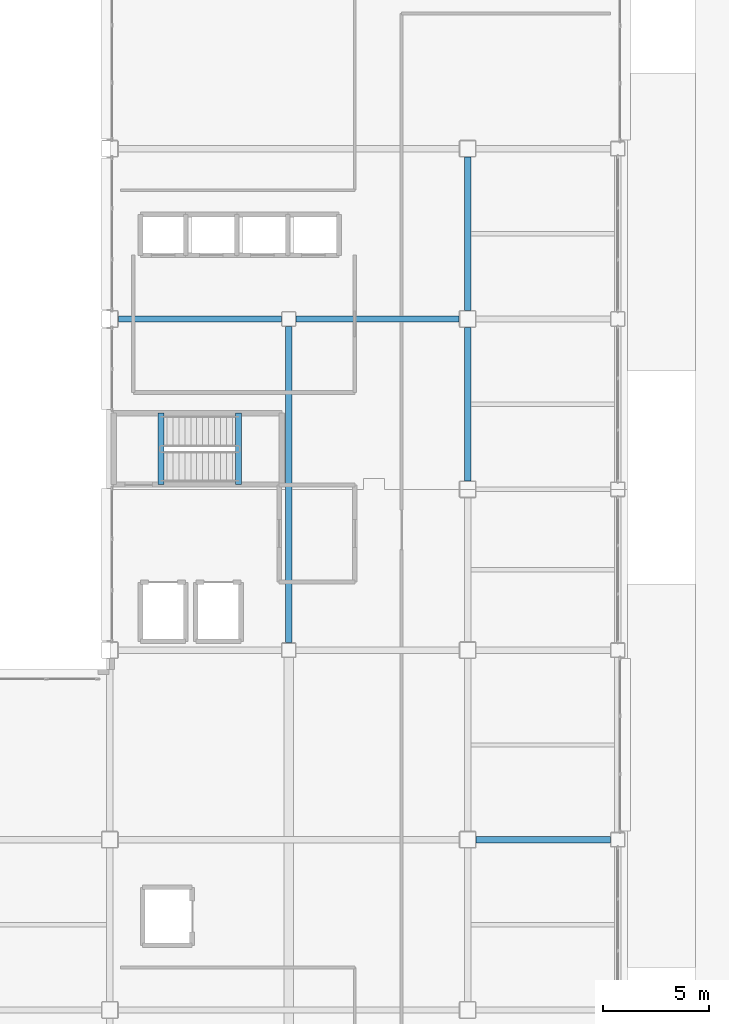
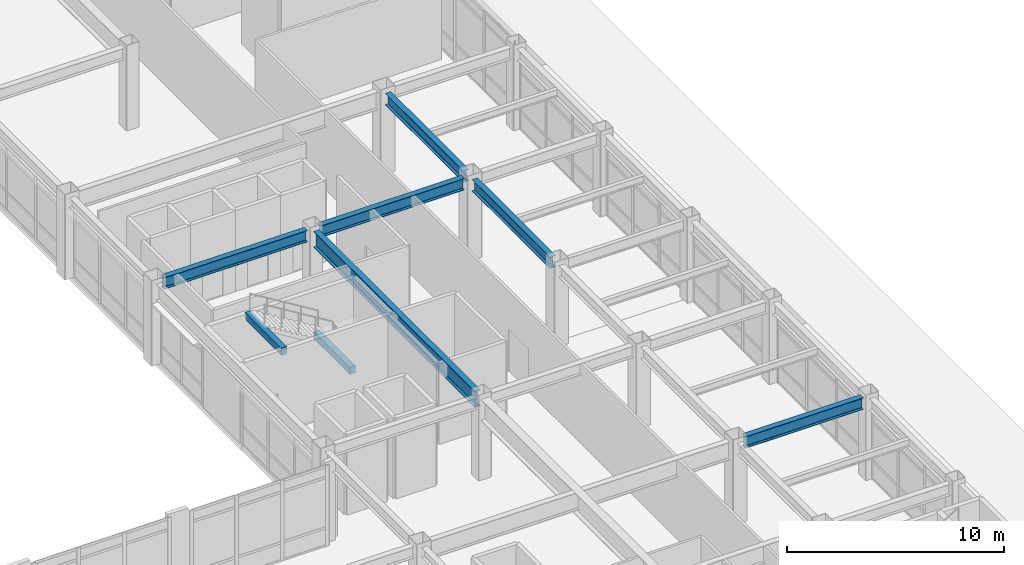
# One storey, part 106 of 172: 8 beams.
"""IFC4 building model written with IfcOpenShell, lengths in metres."""

from ifc_helpers import new_model, si_unit, direction, frame, origin, origin_2d, place, context, subcontext, project, spatial, rectangle, i_section, extrude, material, material_profile, profile_set, type_object, element, save


model = new_model("IFC4")

# Units and contexts
model_context = context("Model", 3, precision=1e-05, world=origin(), true_north=direction((0.0, 1.0)))
body_context = subcontext(model_context, "Body", "Model", "MODEL_VIEW")
ifc_project = project(units=[si_unit("LENGTHUNIT", "METRE"), si_unit("AREAUNIT", "SQUARE_METRE"), si_unit("VOLUMEUNIT", "CUBIC_METRE"), si_unit("PLANEANGLEUNIT", "RADIAN"), si_unit("MASSUNIT", "GRAM", prefix="KILO")], contexts=[model_context])

# Site, building, storey
site_placement = place(None, origin())
site = spatial("IfcSite", under=ifc_project, at=site_placement, CompositionType="ELEMENT")
building_placement = place(site_placement, origin())
building = spatial("IfcBuilding", under=site, at=building_placement, Name="Kazehara Bluff Congress Hotel", CompositionType="ELEMENT")
storey_placement = place(building_placement, frame((0.0, 0.0, 5.39990234375)))
storey = spatial("IfcBuildingStorey", under=building, at=storey_placement, Name="L01", CompositionType="ELEMENT", Elevation=5.39990234375)

# Beams
ifc_material_1 = material(Name="Steel SN490B", Category="steel")
ifc_material_profile_1 = material_profile(ifc_material_1, i_section(OverallWidth=0.300048828125, OverallDepth=0.64990234375, WebThickness=0.011962890625, FlangeThickness=0.02001953125, FilletRadius=0.012939453125, at=origin_2d()))
ifc_profile_set_1 = profile_set([ifc_material_profile_1], Name="Steel SN490B")
beam_type_1 = type_object("IfcBeamType", Name="TP-G-03", PredefinedType="BEAM", material=ifc_profile_set_1)
for number, where, z_axis, x_axis, name in (
    (1, (160.5, 48.85009765625, 4.22509765625), (0.0, 1.0, 0.0), (-1.0, 0.0, 0.0), "L01 girder G-03 254"),
    (2, (160.5, 56.85009765625, 4.22509765625), (0.0, 1.0, 0.0), (-1.0, 0.0, 0.0), "L01 girder G-03 255"),
):
    element("IfcBeam", number, at=place(storey_placement, frame(where, z_axis=z_axis, x_axis=x_axis)), inside=storey, type_object=beam_type_1, Name=name, PredefinedType="BEAM", context=body_context, shape_type="SweptSolid", body=[
        extrude(i_section(OverallWidth=0.300048828125, OverallDepth=0.64990234375, WebThickness=0.011962890625, FlangeThickness=0.02001953125, FilletRadius=0.012939453125, at=origin_2d()), origin(), (0.0, 0.0, 1.0), 7.199951171875),
    ])
beam_1_placement = place(storey_placement, frame((160.89990234375, 32.0, 4.22509765625), z_axis=(1.0, 0.0, 0.0), x_axis=(0.0, 1.0, 0.0)))
element("IfcBeam", 3, at=beam_1_placement, inside=storey, type_object=beam_type_1, Name="L01 girder G-03 295", PredefinedType="BEAM", context=body_context, shape_type="SweptSolid", body=[
    extrude(i_section(OverallWidth=0.300048828125, OverallDepth=0.64990234375, WebThickness=0.011962890625, FlangeThickness=0.02001953125, FilletRadius=0.012939453125, at=origin_2d()), origin(), (0.0, 0.0, 1.0), 6.300048828125),
])
beam_2_placement = place(storey_placement, frame((144.10009765625, 56.449951171875, 4.22509765625), z_axis=(1.0, 0.0, 0.0), x_axis=(0.0, 1.0, 0.0)))
element("IfcBeam", 4, at=beam_2_placement, inside=storey, type_object=beam_type_1, Name="L01 girder G-03 300", PredefinedType="BEAM", context=body_context, shape_type="SweptSolid", body=[
    extrude(i_section(OverallWidth=0.300048828125, OverallDepth=0.64990234375, WebThickness=0.011962890625, FlangeThickness=0.02001953125, FilletRadius=0.012939453125, at=origin_2d()), origin(), (0.0, 0.0, 1.0), 7.64990234375),
])
beam_3_placement = place(storey_placement, frame((152.449951171875, 56.449951171875, 4.22509765625), z_axis=(1.0, 0.0, 0.0), x_axis=(0.0, 1.0, 0.0)))
element("IfcBeam", 5, at=beam_3_placement, inside=storey, type_object=beam_type_1, Name="L01 girder G-03 301", PredefinedType="BEAM", context=body_context, shape_type="SweptSolid", body=[
    extrude(i_section(OverallWidth=0.300048828125, OverallDepth=0.64990234375, WebThickness=0.011962890625, FlangeThickness=0.02001953125, FilletRadius=0.012939453125, at=origin_2d()), origin(), (0.0, 0.0, 1.0), 7.650146484375),
])
ifc_material_2 = material(Name="Steel SN490B", Category="steel")
ifc_material_profile_2 = material_profile(ifc_material_2, i_section(OverallWidth=0.300048828125, OverallDepth=0.89990234375, WebThickness=0.01611328125, FlangeThickness=0.028076171875, FilletRadius=0.01806640625, at=origin_2d()))
ifc_profile_set_2 = profile_set([ifc_material_profile_2], Name="Steel SN490B")
beam_type_2 = type_object("IfcBeamType", Name="TP-G-08", PredefinedType="BEAM", material=ifc_profile_set_2)
beam_4_placement = place(storey_placement, frame((152.10009765625, 41.25, 4.10009765625), z_axis=(0.0, 1.0, 0.0), x_axis=(-1.0, 0.0, 0.0)))
element("IfcBeam", 6, at=beam_4_placement, inside=storey, type_object=beam_type_2, Name="L01 girder G-08 245", PredefinedType="BEAM", context=body_context, shape_type="SweptSolid", body=[
    extrude(i_section(OverallWidth=0.300048828125, OverallDepth=0.89990234375, WebThickness=0.01611328125, FlangeThickness=0.028076171875, FilletRadius=0.01806640625, at=origin_2d()), origin(), (0.0, 0.0, 1.0), 14.85009765625),
])
ifc_material_3 = material(Name="Concrete C40/50", Category="concrete")
ifc_material_profile_3 = material_profile(ifc_material_3, rectangle(XDim=0.300048828125, YDim=0.39990234375, at=origin_2d()))
ifc_profile_set_3 = profile_set([ifc_material_profile_3], Name="Concrete C40/50")
beam_type_3 = type_object("IfcBeamType", Name="TP-LN-02", PredefinedType="LINTEL", material=ifc_profile_set_3)
for number, where, z_axis, x_axis, name in (
    (7, (149.739990234375, 48.675048828125, 2.02001953125), (0.0, 1.0, 0.0), (-1.0, 0.0, 0.0), "L01 ST-11 half-landing support beam 1"),
    (8, (146.10009765625, 48.675048828125, 4.3701171875), (0.0, 1.0, 0.0), (-1.0, 0.0, 0.0), "L02 ST-11 stairwell trimmer beam"),
):
    element("IfcBeam", number, at=place(storey_placement, frame(where, z_axis=z_axis, x_axis=x_axis)), inside=storey, type_object=beam_type_3, Name=name, PredefinedType="LINTEL", context=body_context, shape_type="SweptSolid", body=[
        extrude(rectangle(XDim=0.300048828125, YDim=0.39990234375, at=origin_2d()), origin(), (0.0, 0.0, 1.0), 3.349853515625),
    ])

save(model, "model.ifc")
